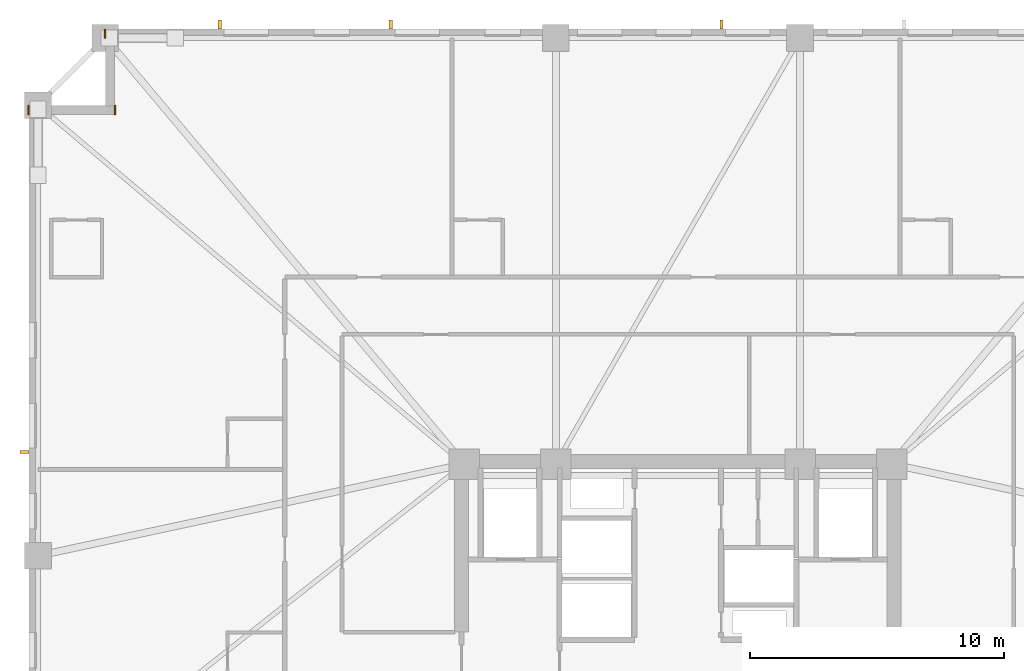
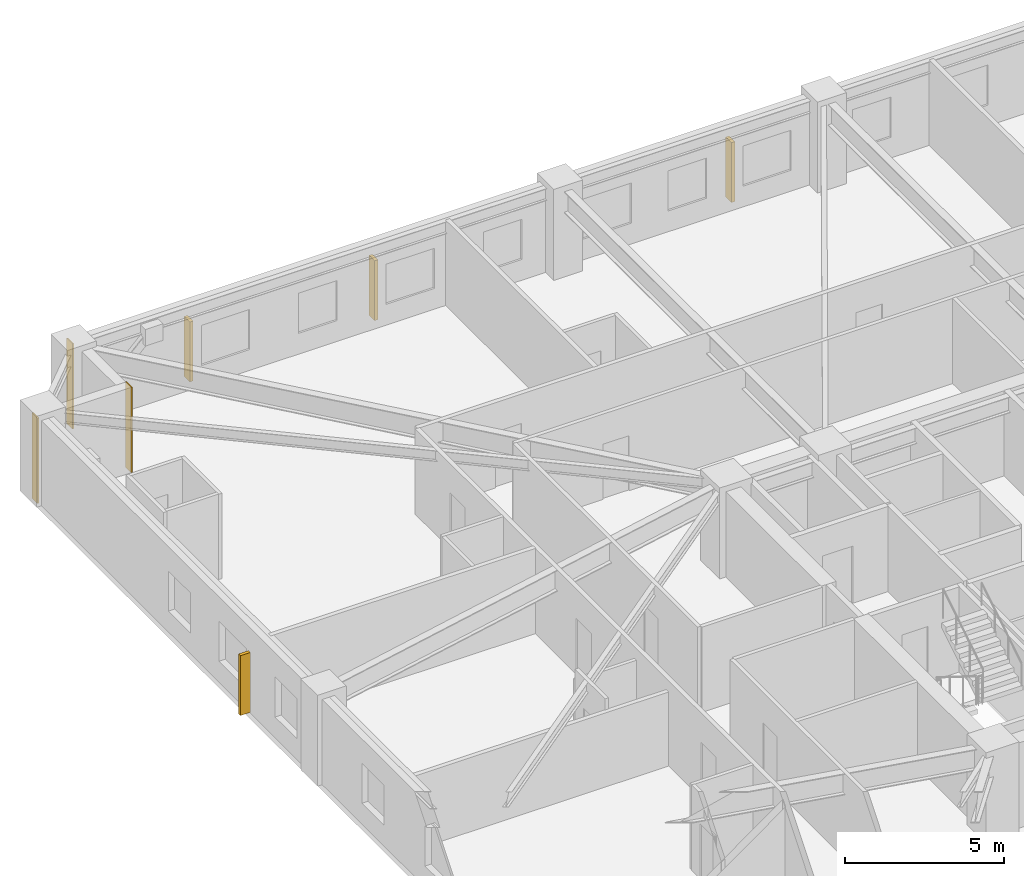
# One storey, part 10 of 11: 4 shading devices, 3 coverings.
"""IFC4 building model written with IfcOpenShell, lengths in metres."""

from ifc_helpers import new_model, si_unit, direction, frame, frame_2d, origin, origin_2d, place, context, subcontext, project, spatial, rectangle, extrude, material, layer, layer_set, type_object, element, save


model = new_model("IFC4")

# Units and contexts
model_context = context("Model", 3, precision=1e-05, world=origin(), true_north=direction((0.0, 1.0)))
body_context = subcontext(model_context, "Body", "Model", "MODEL_VIEW")
ifc_project = project(units=[si_unit("LENGTHUNIT", "METRE"), si_unit("AREAUNIT", "SQUARE_METRE"), si_unit("VOLUMEUNIT", "CUBIC_METRE"), si_unit("PLANEANGLEUNIT", "RADIAN"), si_unit("MASSUNIT", "GRAM", prefix="KILO")], contexts=[model_context])

# Site, building, storey
site_placement = place(None, origin())
site = spatial("IfcSite", under=ifc_project, at=site_placement, CompositionType="ELEMENT")
building_placement = place(site_placement, origin())
building = spatial("IfcBuilding", under=site, at=building_placement, Name="Cairnveth Concourse Tower", CompositionType="ELEMENT")
storey_placement = place(building_placement, frame((0.0, 0.0, 79.5)))
storey = spatial("IfcBuildingStorey", under=building, at=storey_placement, Name="L21", CompositionType="ELEMENT", Elevation=79.5)

# Coverings
ifc_material_1 = material(Name="Dressed Melbourne Bluestone Cladding", Category="masonry")
ifc_layer = layer(ifc_material_1, 0.050048828125)
ifc_layer_set = layer_set([ifc_layer], Name="Dressed Melbourne Bluestone Cladding")
covering_type = type_object("IfcCoveringType", Name="DRESSED BLUESTONE PLINTH CLADDING 50", PredefinedType="CLADDING", material=ifc_layer_set)
for number, where, z_axis, x_axis, name in (
    (1, (26.47998046875, 61.139892578125, 0.0), (0.0, 0.0, 1.0), (0.0, 1.0, 0.0), "Melbourne Bluestone Corner Quoin L21-286"),
    (2, (29.8798828125, 61.139892578125, 0.0), (0.0, 0.0, 1.0), (0.0, 1.0, 0.0), "Melbourne Bluestone Corner Quoin L21-287"),
    (3, (29.47998046875, 64.139892578125, 0.0), (0.0, 0.0, 1.0), (0.0, 1.0, 0.0), "Melbourne Bluestone Corner Quoin L21-288"),
):
    element("IfcCovering", number, at=place(storey_placement, frame(where, z_axis=z_axis, x_axis=x_axis)), inside=storey, type_object=covering_type, Name=name, PredefinedType="CLADDING", context=body_context, shape_type="SweptSolid", body=[
        extrude(rectangle(XDim=0.360107421875, YDim=0.050048828125, at=frame_2d((0.18017578125, 0.0))), origin(), (0.0, 0.0, 1.0), 3.280029296875),
    ])

# Shading devices
ifc_material_2 = material(Name="Architectural Bronze Anodised Aluminium 6063-T6", Category="aluminium")
shading_device_type = type_object("IfcShadingDeviceType", Name="GOTHIC BRONZE VERTICAL LANCET FIN", PredefinedType="USERDEFINED", material=ifc_material_2)
for number, where, z_axis, x_axis, name in (
    (4, (26.324951171875, 47.87646484375, 0.02978515625), (0.0, 0.0, 1.0), (0.0, 1.0, 0.0), "Gothic Bronze Vertical Fin L21-6-9"),
    (5, (33.9951171875, 64.675048828125, 0.02978515625), (0.0, 0.0, 1.0), (1.0, 0.0, 0.0), "Gothic Bronze Vertical Fin L21-9-1"),
    (6, (40.715576171875, 64.675048828125, 0.02978515625), (0.0, 0.0, 1.0), (1.0, 0.0, 0.0), "Gothic Bronze Vertical Fin L21-9-3"),
    (7, (53.706298828125, 64.675048828125, 0.02978515625), (0.0, 0.0, 1.0), (1.0, 0.0, 0.0), "Gothic Bronze Vertical Fin L21-9-7"),
):
    element("IfcShadingDevice", number, at=place(storey_placement, frame(where, z_axis=z_axis, x_axis=x_axis)), inside=storey, type_object=shading_device_type, Name=name, ObjectType="VERTICAL FIN", PredefinedType="USERDEFINED", context=body_context, shape_type="SweptSolid", body=[
        extrude(rectangle(XDim=0.1201171875, YDim=0.360107421875, at=origin_2d()), origin(), (0.0, 0.0, 1.0), 2.303955078125),
    ])

save(model, "model.ifc")
